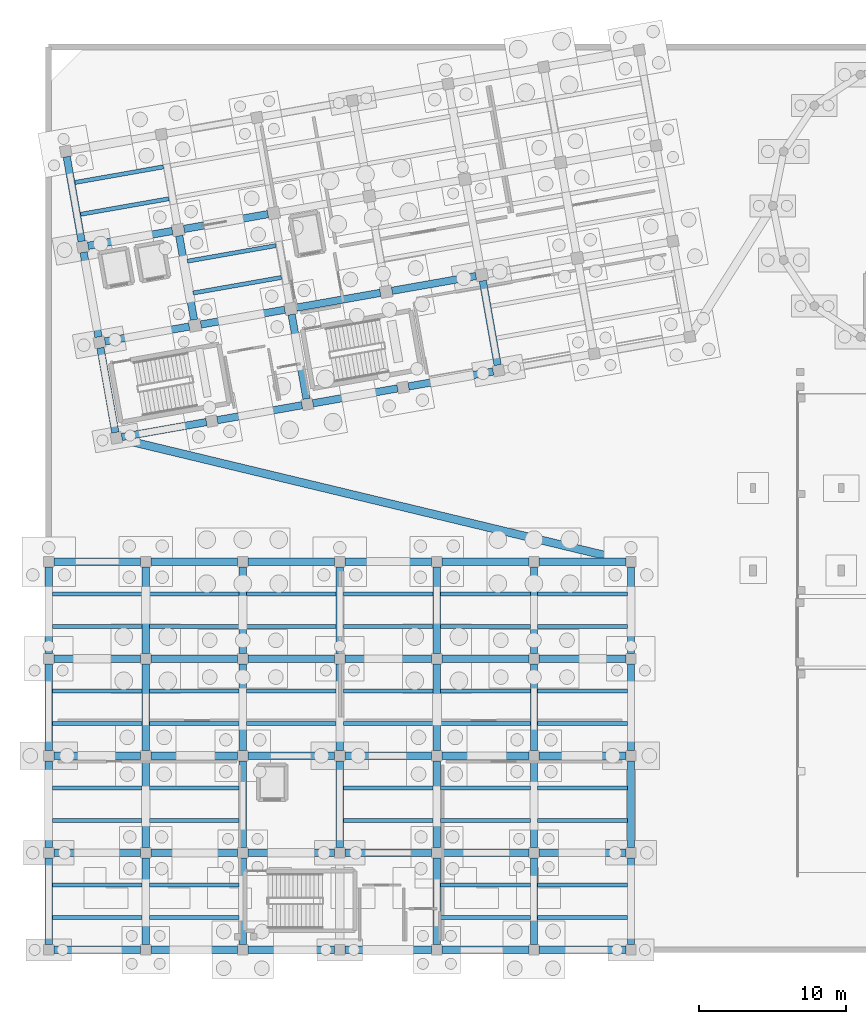
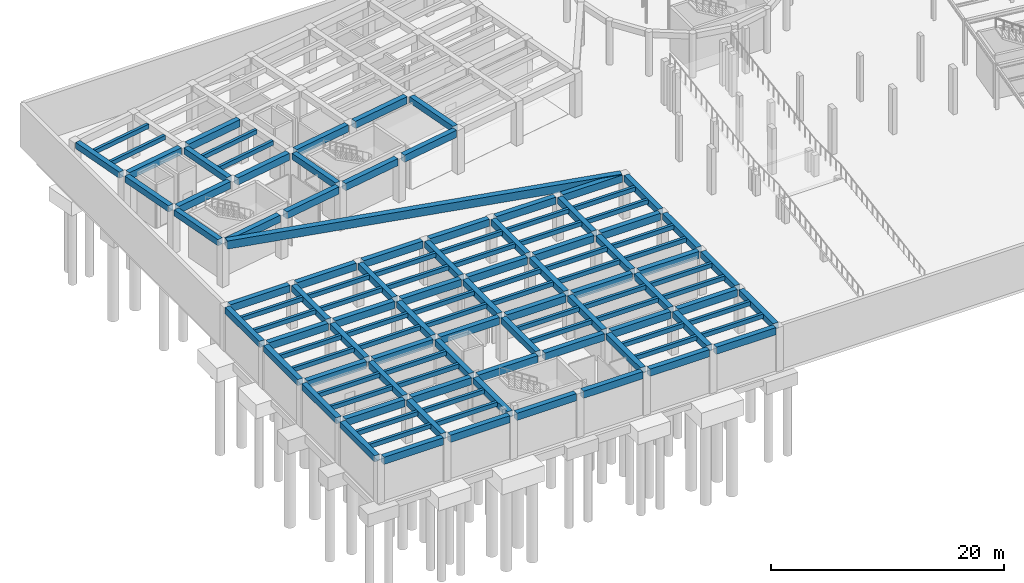
# One storey, part 17 of 34: 120 beams.
"""IFC4 building model written with IfcOpenShell, lengths in metres."""

from ifc_helpers import new_model, si_unit, direction, frame, origin, origin_2d, place, context, subcontext, project, spatial, rectangle, extrude, material, material_profile, profile_set, type_object, element, save


model = new_model("IFC4")

# Units and contexts
model_context = context("Model", 3, precision=1e-05, world=origin(), true_north=direction((0.0, 1.0)))
body_context = subcontext(model_context, "Body", "Model", "MODEL_VIEW")
ifc_project = project(units=[si_unit("LENGTHUNIT", "METRE"), si_unit("AREAUNIT", "SQUARE_METRE"), si_unit("VOLUMEUNIT", "CUBIC_METRE"), si_unit("PLANEANGLEUNIT", "RADIAN"), si_unit("MASSUNIT", "GRAM", prefix="KILO")], contexts=[model_context])

# Site, building, storey
site_placement = place(None, origin())
site = spatial("IfcSite", under=ifc_project, at=site_placement, CompositionType="ELEMENT")
building_placement = place(site_placement, origin())
building = spatial("IfcBuilding", under=site, at=building_placement, Name="Kharisveld Research Institute", CompositionType="ELEMENT")
storey_placement = place(building_placement, frame((0.0, 0.0, -4.800048828125)))
storey = spatial("IfcBuildingStorey", under=building, at=storey_placement, Name="B1", CompositionType="ELEMENT", Elevation=-4.800048828125)

# Beams
ifc_material_1 = material(Name="Concrete C40/50", Category="concrete")
ifc_material_profile_1 = material_profile(ifc_material_1, rectangle(XDim=0.5, YDim=0.64990234375, at=origin_2d()))
ifc_profile_set_1 = profile_set([ifc_material_profile_1], Name="Concrete C40/50")
beam_type_1 = type_object("IfcBeamType", Name="BM_RC_500x650", PredefinedType="BEAM", material=ifc_profile_set_1)
for number, where, z_axis, x_axis, name in (
    (1, (5.134765625, 35.37939453125, 4.28515625), (-0.173616291867, 0.984813374807, 0.0), (-0.984813374807, -0.173616291867, 0.0), "BM:V1:B1:V0_0"),
    (2, (3.98876953125, 41.879150390625, 4.28515625), (-0.17365676812, 0.984806238245, 0.0), (-0.984806238245, -0.17365676812, 0.0), "BM:V1:B1:V0_1"),
):
    element("IfcBeam", number, at=place(storey_placement, frame(where, z_axis=z_axis, x_axis=x_axis)), inside=storey, type_object=beam_type_1, Name=name, PredefinedType="BEAM", context=body_context, shape_type="SweptSolid", body=[
        extrude(rectangle(XDim=0.5, YDim=0.64990234375, at=origin_2d()), origin(), (0.0, 0.0, 1.0), 5.849853515625),
    ])
beam_1_placement = place(storey_placement, frame((2.8427734375, 48.378662109375, 4.28515625), z_axis=(-0.173649631067, 0.984807496737, 0.0), x_axis=(-0.984807496737, -0.173649631067, 0.0)))
element("IfcBeam", 3, at=beam_1_placement, inside=storey, type_object=beam_type_1, Name="BM:V1:B1:V0_2", PredefinedType="BEAM", context=body_context, shape_type="SweptSolid", body=[
    extrude(rectangle(XDim=0.5, YDim=0.64990234375, at=origin_2d()), origin(), (0.0, 0.0, 1.0), 5.85009765625),
])
beam_2_placement = place(storey_placement, frame((10.484130859375, 43.0498046875, 4.28515625), z_axis=(-0.17363405094, 0.984810243831, 0.0), x_axis=(-0.984810243831, -0.17363405094, 0.0)))
element("IfcBeam", 4, at=beam_2_placement, inside=storey, type_object=beam_type_1, Name="BM:V1:B1:V1_1", PredefinedType="BEAM", context=body_context, shape_type="SweptSolid", body=[
    extrude(rectangle(XDim=0.5, YDim=0.64990234375, at=origin_2d()), origin(), (0.0, 0.0, 1.0), 5.800048828125),
])
for number, where, z_axis, x_axis, name in (
    (5, (18.13427734375, 37.67138671875, 4.28515625), (-0.173641874505, 0.984808864409, 0.0), (-0.984808864409, -0.173641874505, 0.0), "BM:V1:B1:V2_0"),
    (6, (31.1337890625, 39.963623046875, 4.28515625), (-0.173641874505, 0.984808864409, 0.0), (-0.984808864409, -0.173641874505, 0.0), "BM:V1:B1:V4_0"),
):
    element("IfcBeam", number, at=place(storey_placement, frame(where, z_axis=z_axis, x_axis=x_axis)), inside=storey, type_object=beam_type_1, Name=name, PredefinedType="BEAM", context=body_context, shape_type="SweptSolid", body=[
        extrude(rectangle(XDim=0.5, YDim=0.64990234375, at=origin_2d()), origin(), (0.0, 0.0, 1.0), 5.824951171875),
    ])
beam_3_placement = place(storey_placement, frame((0.60009765625, 0.550048828125, 4.275146484375), z_axis=(0.0, 1.0, 0.0), x_axis=(-1.0, 0.0, 0.0)))
element("IfcBeam", 7, at=beam_3_placement, inside=storey, type_object=beam_type_1, Name="BM:V3:B1:V0_0", PredefinedType="BEAM", context=body_context, shape_type="SweptSolid", body=[
    extrude(rectangle(XDim=0.5, YDim=0.64990234375, at=origin_2d()), origin(), (0.0, 0.0, 1.0), 5.89990234375),
])
beam_4_placement = place(storey_placement, frame((0.60009765625, 7.14990234375, 4.275146484375), z_axis=(0.0, 1.0, 0.0), x_axis=(-1.0, 0.0, 0.0)))
element("IfcBeam", 8, at=beam_4_placement, inside=storey, type_object=beam_type_1, Name="BM:V3:B1:V0_1", PredefinedType="BEAM", context=body_context, shape_type="SweptSolid", body=[
    extrude(rectangle(XDim=0.5, YDim=0.64990234375, at=origin_2d()), origin(), (0.0, 0.0, 1.0), 5.900146484375),
])
for number, where, z_axis, x_axis, name in (
    (9, (0.60009765625, 13.75, 4.275146484375), (0.0, 1.0, 0.0), (-1.0, 0.0, 0.0), "BM:V3:B1:V0_2"),
    (10, (0.60009765625, 20.35009765625, 4.275146484375), (0.0, 1.0, 0.0), (-1.0, 0.0, 0.0), "BM:V3:B1:V0_3"),
    (11, (7.199951171875, 0.550048828125, 4.275146484375), (0.0, 1.0, 0.0), (-1.0, 0.0, 0.0), "BM:V3:B1:V1_0"),
):
    element("IfcBeam", number, at=place(storey_placement, frame(where, z_axis=z_axis, x_axis=x_axis)), inside=storey, type_object=beam_type_1, Name=name, PredefinedType="BEAM", context=body_context, shape_type="SweptSolid", body=[
        extrude(rectangle(XDim=0.5, YDim=0.64990234375, at=origin_2d()), origin(), (0.0, 0.0, 1.0), 5.89990234375),
    ])
beam_5_placement = place(storey_placement, frame((7.199951171875, 7.14990234375, 4.275146484375), z_axis=(0.0, 1.0, 0.0), x_axis=(-1.0, 0.0, 0.0)))
element("IfcBeam", 12, at=beam_5_placement, inside=storey, type_object=beam_type_1, Name="BM:V3:B1:V1_1", PredefinedType="BEAM", context=body_context, shape_type="SweptSolid", body=[
    extrude(rectangle(XDim=0.5, YDim=0.64990234375, at=origin_2d()), origin(), (0.0, 0.0, 1.0), 5.900146484375),
])
for number, where, z_axis, x_axis, name in (
    (13, (7.199951171875, 13.75, 4.275146484375), (0.0, 1.0, 0.0), (-1.0, 0.0, 0.0), "BM:V3:B1:V1_2"),
    (14, (7.199951171875, 20.35009765625, 4.275146484375), (0.0, 1.0, 0.0), (-1.0, 0.0, 0.0), "BM:V3:B1:V1_3"),
    (15, (13.800048828125, 0.550048828125, 4.275146484375), (0.0, 1.0, 0.0), (-1.0, 0.0, 0.0), "BM:V3:B1:V2_0"),
):
    element("IfcBeam", number, at=place(storey_placement, frame(where, z_axis=z_axis, x_axis=x_axis)), inside=storey, type_object=beam_type_1, Name=name, PredefinedType="BEAM", context=body_context, shape_type="SweptSolid", body=[
        extrude(rectangle(XDim=0.5, YDim=0.64990234375, at=origin_2d()), origin(), (0.0, 0.0, 1.0), 5.89990234375),
    ])
beam_6_placement = place(storey_placement, frame((13.800048828125, 7.14990234375, 4.275146484375), z_axis=(0.0, 1.0, 0.0), x_axis=(-1.0, 0.0, 0.0)))
element("IfcBeam", 16, at=beam_6_placement, inside=storey, type_object=beam_type_1, Name="BM:V3:B1:V2_1", PredefinedType="BEAM", context=body_context, shape_type="SweptSolid", body=[
    extrude(rectangle(XDim=0.5, YDim=0.64990234375, at=origin_2d()), origin(), (0.0, 0.0, 1.0), 5.900146484375),
])
for number, where, z_axis, x_axis, name in (
    (17, (13.800048828125, 13.75, 4.275146484375), (0.0, 1.0, 0.0), (-1.0, 0.0, 0.0), "BM:V3:B1:V2_2"),
    (18, (13.800048828125, 20.35009765625, 4.275146484375), (0.0, 1.0, 0.0), (-1.0, 0.0, 0.0), "BM:V3:B1:V2_3"),
):
    element("IfcBeam", number, at=place(storey_placement, frame(where, z_axis=z_axis, x_axis=x_axis)), inside=storey, type_object=beam_type_1, Name=name, PredefinedType="BEAM", context=body_context, shape_type="SweptSolid", body=[
        extrude(rectangle(XDim=0.5, YDim=0.64990234375, at=origin_2d()), origin(), (0.0, 0.0, 1.0), 5.89990234375),
    ])
beam_7_placement = place(storey_placement, frame((20.39990234375, 7.14990234375, 4.275146484375), z_axis=(0.0, 1.0, 0.0), x_axis=(-1.0, 0.0, 0.0)))
element("IfcBeam", 19, at=beam_7_placement, inside=storey, type_object=beam_type_1, Name="BM:V3:B1:V3_1", PredefinedType="BEAM", context=body_context, shape_type="SweptSolid", body=[
    extrude(rectangle(XDim=0.5, YDim=0.64990234375, at=origin_2d()), origin(), (0.0, 0.0, 1.0), 5.900146484375),
])
for number, where, z_axis, x_axis, name in (
    (20, (20.39990234375, 13.75, 4.275146484375), (0.0, 1.0, 0.0), (-1.0, 0.0, 0.0), "BM:V3:B1:V3_2"),
    (21, (20.39990234375, 20.35009765625, 4.275146484375), (0.0, 1.0, 0.0), (-1.0, 0.0, 0.0), "BM:V3:B1:V3_3"),
    (22, (27.0, 0.550048828125, 4.275146484375), (0.0, 1.0, 0.0), (-1.0, 0.0, 0.0), "BM:V3:B1:V4_0"),
):
    element("IfcBeam", number, at=place(storey_placement, frame(where, z_axis=z_axis, x_axis=x_axis)), inside=storey, type_object=beam_type_1, Name=name, PredefinedType="BEAM", context=body_context, shape_type="SweptSolid", body=[
        extrude(rectangle(XDim=0.5, YDim=0.64990234375, at=origin_2d()), origin(), (0.0, 0.0, 1.0), 5.89990234375),
    ])
beam_8_placement = place(storey_placement, frame((27.0, 7.14990234375, 4.275146484375), z_axis=(0.0, 1.0, 0.0), x_axis=(-1.0, 0.0, 0.0)))
element("IfcBeam", 23, at=beam_8_placement, inside=storey, type_object=beam_type_1, Name="BM:V3:B1:V4_1", PredefinedType="BEAM", context=body_context, shape_type="SweptSolid", body=[
    extrude(rectangle(XDim=0.5, YDim=0.64990234375, at=origin_2d()), origin(), (0.0, 0.0, 1.0), 5.900146484375),
])
for number, where, z_axis, x_axis, name in (
    (24, (27.0, 13.75, 4.275146484375), (0.0, 1.0, 0.0), (-1.0, 0.0, 0.0), "BM:V3:B1:V4_2"),
    (25, (27.0, 20.35009765625, 4.275146484375), (0.0, 1.0, 0.0), (-1.0, 0.0, 0.0), "BM:V3:B1:V4_3"),
    (26, (33.60009765625, 0.550048828125, 4.275146484375), (0.0, 1.0, 0.0), (-1.0, 0.0, 0.0), "BM:V3:B1:V5_0"),
):
    element("IfcBeam", number, at=place(storey_placement, frame(where, z_axis=z_axis, x_axis=x_axis)), inside=storey, type_object=beam_type_1, Name=name, PredefinedType="BEAM", context=body_context, shape_type="SweptSolid", body=[
        extrude(rectangle(XDim=0.5, YDim=0.64990234375, at=origin_2d()), origin(), (0.0, 0.0, 1.0), 5.89990234375),
    ])
beam_9_placement = place(storey_placement, frame((33.60009765625, 7.14990234375, 4.275146484375), z_axis=(0.0, 1.0, 0.0), x_axis=(-1.0, 0.0, 0.0)))
element("IfcBeam", 27, at=beam_9_placement, inside=storey, type_object=beam_type_1, Name="BM:V3:B1:V5_1", PredefinedType="BEAM", context=body_context, shape_type="SweptSolid", body=[
    extrude(rectangle(XDim=0.5, YDim=0.64990234375, at=origin_2d()), origin(), (0.0, 0.0, 1.0), 5.900146484375),
])
for number, where, z_axis, x_axis, name in (
    (28, (33.60009765625, 13.75, 4.275146484375), (0.0, 1.0, 0.0), (-1.0, 0.0, 0.0), "BM:V3:B1:V5_2"),
    (29, (33.60009765625, 20.35009765625, 4.275146484375), (0.0, 1.0, 0.0), (-1.0, 0.0, 0.0), "BM:V3:B1:V5_3"),
    (30, (40.199951171875, 0.550048828125, 4.275146484375), (0.0, 1.0, 0.0), (-1.0, 0.0, 0.0), "BM:V3:B1:V6_0"),
):
    element("IfcBeam", number, at=place(storey_placement, frame(where, z_axis=z_axis, x_axis=x_axis)), inside=storey, type_object=beam_type_1, Name=name, PredefinedType="BEAM", context=body_context, shape_type="SweptSolid", body=[
        extrude(rectangle(XDim=0.5, YDim=0.64990234375, at=origin_2d()), origin(), (0.0, 0.0, 1.0), 5.89990234375),
    ])
beam_10_placement = place(storey_placement, frame((40.199951171875, 7.14990234375, 4.275146484375), z_axis=(0.0, 1.0, 0.0), x_axis=(-1.0, 0.0, 0.0)))
element("IfcBeam", 31, at=beam_10_placement, inside=storey, type_object=beam_type_1, Name="BM:V3:B1:V6_1", PredefinedType="BEAM", context=body_context, shape_type="SweptSolid", body=[
    extrude(rectangle(XDim=0.5, YDim=0.64990234375, at=origin_2d()), origin(), (0.0, 0.0, 1.0), 5.900146484375),
])
for number, where, z_axis, x_axis, name in (
    (32, (40.199951171875, 13.75, 4.275146484375), (0.0, 1.0, 0.0), (-1.0, 0.0, 0.0), "BM:V3:B1:V6_2"),
    (33, (40.199951171875, 20.35009765625, 4.275146484375), (0.0, 1.0, 0.0), (-1.0, 0.0, 0.0), "BM:V3:B1:V6_3"),
):
    element("IfcBeam", number, at=place(storey_placement, frame(where, z_axis=z_axis, x_axis=x_axis)), inside=storey, type_object=beam_type_1, Name=name, PredefinedType="BEAM", context=body_context, shape_type="SweptSolid", body=[
        extrude(rectangle(XDim=0.5, YDim=0.64990234375, at=origin_2d()), origin(), (0.0, 0.0, 1.0), 5.89990234375),
    ])
ifc_material_2 = material(Name="Concrete C40/50", Category="concrete")
ifc_material_profile_2 = material_profile(ifc_material_2, rectangle(XDim=0.5, YDim=0.75, at=origin_2d()))
ifc_profile_set_2 = profile_set([ifc_material_profile_2], Name="Concrete C40/50")
beam_type_2 = type_object("IfcBeamType", Name="BM_RC_500x750", PredefinedType="BEAM", material=ifc_profile_set_2)
for number, where, z_axis, x_axis, name in (
    (34, (5.5693359375, 35.0751953125, 4.235107421875), (0.984806238245, 0.17365676812, 0.0), (-0.17365676812, 0.984806238245, 0.0), "BM:V1:B1:U0_0"),
    (35, (12.069091796875, 36.22119140625, 4.235107421875), (0.984806238245, 0.17365676812, 0.0), (-0.17365676812, 0.984806238245, 0.0), "BM:V1:B1:U1_0"),
    (36, (18.56884765625, 37.3671875, 4.235107421875), (0.984806238245, 0.17365676812, 0.0), (-0.17365676812, 0.984806238245, 0.0), "BM:V1:B1:U2_0"),
    (37, (25.068603515625, 38.513427734375, 4.235107421875), (0.984806238245, 0.17365676812, 0.0), (-0.17365676812, 0.984806238245, 0.0), "BM:V1:B1:U3_0"),
):
    element("IfcBeam", number, at=place(storey_placement, frame(where, z_axis=z_axis, x_axis=x_axis)), inside=storey, type_object=beam_type_2, Name=name, PredefinedType="BEAM", context=body_context, shape_type="SweptSolid", body=[
        extrude(rectangle(XDim=0.5, YDim=0.75, at=origin_2d()), origin(), (0.0, 0.0, 1.0), 5.849853515625),
    ])
beam_11_placement = place(storey_placement, frame((4.42333984375, 41.574951171875, 4.235107421875), z_axis=(0.984807600618, 0.173649041937, 0.0), x_axis=(-0.173649041937, 0.984807600618, 0.0)))
element("IfcBeam", 38, at=beam_11_placement, inside=storey, type_object=beam_type_2, Name="BM:V1:B1:U0_1", PredefinedType="BEAM", context=body_context, shape_type="SweptSolid", body=[
    extrude(rectangle(XDim=0.5, YDim=0.75, at=origin_2d()), origin(), (0.0, 0.0, 1.0), 5.82470703125),
])
for number, where, z_axis, x_axis, name in (
    (39, (10.947509765625, 42.725341796875, 4.235107421875), (0.984810243831, 0.17363405094, 0.0), (-0.17363405094, 0.984810243831, 0.0), "BM:V1:B1:U1_1"),
    (40, (17.447265625, 43.871337890625, 4.235107421875), (0.984810243831, 0.17363405094, 0.0), (-0.17363405094, 0.984810243831, 0.0), "BM:V1:B1:U2_1"),
    (41, (23.947021484375, 45.017333984375, 4.235107421875), (0.98480304526, 0.17367487454, 0.0), (-0.17367487454, 0.98480304526, 0.0), "BM:V1:B1:U3_1"),
):
    element("IfcBeam", number, at=place(storey_placement, frame(where, z_axis=z_axis, x_axis=x_axis)), inside=storey, type_object=beam_type_2, Name=name, PredefinedType="BEAM", context=body_context, shape_type="SweptSolid", body=[
        extrude(rectangle(XDim=0.5, YDim=0.75, at=origin_2d()), origin(), (0.0, 0.0, 1.0), 5.800048828125),
    ])
beam_12_placement = place(storey_placement, frame((3.277099609375, 48.074462890625, 4.235107421875), z_axis=(0.984801696481, 0.173682522459, 0.0), x_axis=(-0.173682522459, 0.984801696481, 0.0)))
element("IfcBeam", 42, at=beam_12_placement, inside=storey, type_object=beam_type_2, Name="BM:V1:B1:U0_2", PredefinedType="BEAM", context=body_context, shape_type="SweptSolid", body=[
    extrude(rectangle(XDim=0.5, YDim=0.75, at=origin_2d()), origin(), (0.0, 0.0, 1.0), 5.8251953125),
])
beam_13_placement = place(storey_placement, frame((9.801513671875, 49.22509765625, 4.235107421875), z_axis=(0.984810243831, 0.17363405094, 0.0), x_axis=(-0.17363405094, 0.984810243831, 0.0)))
element("IfcBeam", 43, at=beam_13_placement, inside=storey, type_object=beam_type_2, Name="BM:V1:B1:U1_2", PredefinedType="BEAM", context=body_context, shape_type="SweptSolid", body=[
    extrude(rectangle(XDim=0.5, YDim=0.75, at=origin_2d()), origin(), (0.0, 0.0, 1.0), 5.800048828125),
])
beam_14_placement = place(storey_placement, frame((0.949951171875, 0.199951171875, 4.22509765625), z_axis=(1.0, 0.0, 0.0), x_axis=(0.0, 1.0, 0.0)))
element("IfcBeam", 44, at=beam_14_placement, inside=storey, type_object=beam_type_2, Name="BM:V3:B1:U0_0", PredefinedType="BEAM", context=body_context, shape_type="SweptSolid", body=[
    extrude(rectangle(XDim=0.5, YDim=0.75, at=origin_2d()), origin(), (0.0, 0.0, 1.0), 5.900146484375),
])
beam_15_placement = place(storey_placement, frame((7.550048828125, 0.199951171875, 4.22509765625), z_axis=(1.0, 0.0, 0.0), x_axis=(0.0, 1.0, 0.0)))
element("IfcBeam", 45, at=beam_15_placement, inside=storey, type_object=beam_type_2, Name="BM:V3:B1:U1_0", PredefinedType="BEAM", context=body_context, shape_type="SweptSolid", body=[
    extrude(rectangle(XDim=0.5, YDim=0.75, at=origin_2d()), origin(), (0.0, 0.0, 1.0), 5.89990234375),
])
beam_16_placement = place(storey_placement, frame((14.14990234375, 0.199951171875, 4.22509765625), z_axis=(1.0, 0.0, 0.0), x_axis=(0.0, 1.0, 0.0)))
element("IfcBeam", 46, at=beam_16_placement, inside=storey, type_object=beam_type_2, Name="BM:V3:B1:U2_0", PredefinedType="BEAM", context=body_context, shape_type="SweptSolid", body=[
    extrude(rectangle(XDim=0.5, YDim=0.75, at=origin_2d()), origin(), (0.0, 0.0, 1.0), 5.900146484375),
])
for number, where, z_axis, x_axis, name in (
    (47, (20.75, 0.199951171875, 4.22509765625), (1.0, 0.0, 0.0), (0.0, 1.0, 0.0), "BM:V3:B1:U3_0"),
    (48, (27.35009765625, 0.199951171875, 4.22509765625), (1.0, 0.0, 0.0), (0.0, 1.0, 0.0), "BM:V3:B1:U4_0"),
):
    element("IfcBeam", number, at=place(storey_placement, frame(where, z_axis=z_axis, x_axis=x_axis)), inside=storey, type_object=beam_type_2, Name=name, PredefinedType="BEAM", context=body_context, shape_type="SweptSolid", body=[
        extrude(rectangle(XDim=0.5, YDim=0.75, at=origin_2d()), origin(), (0.0, 0.0, 1.0), 5.89990234375),
    ])
for number, where, z_axis, x_axis, name in (
    (49, (33.949951171875, 0.199951171875, 4.22509765625), (1.0, 0.0, 0.0), (0.0, 1.0, 0.0), "BM:V3:B1:U5_0"),
    (50, (0.949951171875, 6.800048828125, 4.22509765625), (1.0, 0.0, 0.0), (0.0, 1.0, 0.0), "BM:V3:B1:U0_1"),
):
    element("IfcBeam", number, at=place(storey_placement, frame(where, z_axis=z_axis, x_axis=x_axis)), inside=storey, type_object=beam_type_2, Name=name, PredefinedType="BEAM", context=body_context, shape_type="SweptSolid", body=[
        extrude(rectangle(XDim=0.5, YDim=0.75, at=origin_2d()), origin(), (0.0, 0.0, 1.0), 5.900146484375),
    ])
beam_17_placement = place(storey_placement, frame((7.550048828125, 6.800048828125, 4.22509765625), z_axis=(1.0, 0.0, 0.0), x_axis=(0.0, 1.0, 0.0)))
element("IfcBeam", 51, at=beam_17_placement, inside=storey, type_object=beam_type_2, Name="BM:V3:B1:U1_1", PredefinedType="BEAM", context=body_context, shape_type="SweptSolid", body=[
    extrude(rectangle(XDim=0.5, YDim=0.75, at=origin_2d()), origin(), (0.0, 0.0, 1.0), 5.89990234375),
])
beam_18_placement = place(storey_placement, frame((14.14990234375, 6.800048828125, 4.22509765625), z_axis=(1.0, 0.0, 0.0), x_axis=(0.0, 1.0, 0.0)))
element("IfcBeam", 52, at=beam_18_placement, inside=storey, type_object=beam_type_2, Name="BM:V3:B1:U2_1", PredefinedType="BEAM", context=body_context, shape_type="SweptSolid", body=[
    extrude(rectangle(XDim=0.5, YDim=0.75, at=origin_2d()), origin(), (0.0, 0.0, 1.0), 5.900146484375),
])
for number, where, z_axis, x_axis, name in (
    (53, (20.75, 6.800048828125, 4.22509765625), (1.0, 0.0, 0.0), (0.0, 1.0, 0.0), "BM:V3:B1:U3_1"),
    (54, (27.35009765625, 6.800048828125, 4.22509765625), (1.0, 0.0, 0.0), (0.0, 1.0, 0.0), "BM:V3:B1:U4_1"),
):
    element("IfcBeam", number, at=place(storey_placement, frame(where, z_axis=z_axis, x_axis=x_axis)), inside=storey, type_object=beam_type_2, Name=name, PredefinedType="BEAM", context=body_context, shape_type="SweptSolid", body=[
        extrude(rectangle(XDim=0.5, YDim=0.75, at=origin_2d()), origin(), (0.0, 0.0, 1.0), 5.89990234375),
    ])
for number, where, z_axis, x_axis, name in (
    (55, (33.949951171875, 6.800048828125, 4.22509765625), (1.0, 0.0, 0.0), (0.0, 1.0, 0.0), "BM:V3:B1:U5_1"),
    (56, (0.949951171875, 13.39990234375, 4.22509765625), (1.0, 0.0, 0.0), (0.0, 1.0, 0.0), "BM:V3:B1:U0_2"),
):
    element("IfcBeam", number, at=place(storey_placement, frame(where, z_axis=z_axis, x_axis=x_axis)), inside=storey, type_object=beam_type_2, Name=name, PredefinedType="BEAM", context=body_context, shape_type="SweptSolid", body=[
        extrude(rectangle(XDim=0.5, YDim=0.75, at=origin_2d()), origin(), (0.0, 0.0, 1.0), 5.900146484375),
    ])
beam_19_placement = place(storey_placement, frame((7.550048828125, 13.39990234375, 4.22509765625), z_axis=(1.0, 0.0, 0.0), x_axis=(0.0, 1.0, 0.0)))
element("IfcBeam", 57, at=beam_19_placement, inside=storey, type_object=beam_type_2, Name="BM:V3:B1:U1_2", PredefinedType="BEAM", context=body_context, shape_type="SweptSolid", body=[
    extrude(rectangle(XDim=0.5, YDim=0.75, at=origin_2d()), origin(), (0.0, 0.0, 1.0), 5.89990234375),
])
beam_20_placement = place(storey_placement, frame((14.14990234375, 13.39990234375, 4.22509765625), z_axis=(1.0, 0.0, 0.0), x_axis=(0.0, 1.0, 0.0)))
element("IfcBeam", 58, at=beam_20_placement, inside=storey, type_object=beam_type_2, Name="BM:V3:B1:U2_2", PredefinedType="BEAM", context=body_context, shape_type="SweptSolid", body=[
    extrude(rectangle(XDim=0.5, YDim=0.75, at=origin_2d()), origin(), (0.0, 0.0, 1.0), 5.900146484375),
])
for number, where, z_axis, x_axis, name in (
    (59, (20.75, 13.39990234375, 4.22509765625), (1.0, 0.0, 0.0), (0.0, 1.0, 0.0), "BM:V3:B1:U3_2"),
    (60, (27.35009765625, 13.39990234375, 4.22509765625), (1.0, 0.0, 0.0), (0.0, 1.0, 0.0), "BM:V3:B1:U4_2"),
):
    element("IfcBeam", number, at=place(storey_placement, frame(where, z_axis=z_axis, x_axis=x_axis)), inside=storey, type_object=beam_type_2, Name=name, PredefinedType="BEAM", context=body_context, shape_type="SweptSolid", body=[
        extrude(rectangle(XDim=0.5, YDim=0.75, at=origin_2d()), origin(), (0.0, 0.0, 1.0), 5.89990234375),
    ])
for number, where, z_axis, x_axis, name in (
    (61, (33.949951171875, 13.39990234375, 4.22509765625), (1.0, 0.0, 0.0), (0.0, 1.0, 0.0), "BM:V3:B1:U5_2"),
    (62, (0.949951171875, 20.0, 4.22509765625), (1.0, 0.0, 0.0), (0.0, 1.0, 0.0), "BM:V3:B1:U0_3"),
):
    element("IfcBeam", number, at=place(storey_placement, frame(where, z_axis=z_axis, x_axis=x_axis)), inside=storey, type_object=beam_type_2, Name=name, PredefinedType="BEAM", context=body_context, shape_type="SweptSolid", body=[
        extrude(rectangle(XDim=0.5, YDim=0.75, at=origin_2d()), origin(), (0.0, 0.0, 1.0), 5.900146484375),
    ])
beam_21_placement = place(storey_placement, frame((7.550048828125, 20.0, 4.22509765625), z_axis=(1.0, 0.0, 0.0), x_axis=(0.0, 1.0, 0.0)))
element("IfcBeam", 63, at=beam_21_placement, inside=storey, type_object=beam_type_2, Name="BM:V3:B1:U1_3", PredefinedType="BEAM", context=body_context, shape_type="SweptSolid", body=[
    extrude(rectangle(XDim=0.5, YDim=0.75, at=origin_2d()), origin(), (0.0, 0.0, 1.0), 5.89990234375),
])
beam_22_placement = place(storey_placement, frame((14.14990234375, 20.0, 4.22509765625), z_axis=(1.0, 0.0, 0.0), x_axis=(0.0, 1.0, 0.0)))
element("IfcBeam", 64, at=beam_22_placement, inside=storey, type_object=beam_type_2, Name="BM:V3:B1:U2_3", PredefinedType="BEAM", context=body_context, shape_type="SweptSolid", body=[
    extrude(rectangle(XDim=0.5, YDim=0.75, at=origin_2d()), origin(), (0.0, 0.0, 1.0), 5.900146484375),
])
for number, where, z_axis, x_axis, name in (
    (65, (20.75, 20.0, 4.22509765625), (1.0, 0.0, 0.0), (0.0, 1.0, 0.0), "BM:V3:B1:U3_3"),
    (66, (27.35009765625, 20.0, 4.22509765625), (1.0, 0.0, 0.0), (0.0, 1.0, 0.0), "BM:V3:B1:U4_3"),
):
    element("IfcBeam", number, at=place(storey_placement, frame(where, z_axis=z_axis, x_axis=x_axis)), inside=storey, type_object=beam_type_2, Name=name, PredefinedType="BEAM", context=body_context, shape_type="SweptSolid", body=[
        extrude(rectangle(XDim=0.5, YDim=0.75, at=origin_2d()), origin(), (0.0, 0.0, 1.0), 5.89990234375),
    ])
for number, where, z_axis, x_axis, name in (
    (67, (33.949951171875, 20.0, 4.22509765625), (1.0, 0.0, 0.0), (0.0, 1.0, 0.0), "BM:V3:B1:U5_3"),
    (68, (0.949951171875, 26.60009765625, 4.22509765625), (1.0, 0.0, 0.0), (0.0, 1.0, 0.0), "BM:V3:B1:U0_4"),
):
    element("IfcBeam", number, at=place(storey_placement, frame(where, z_axis=z_axis, x_axis=x_axis)), inside=storey, type_object=beam_type_2, Name=name, PredefinedType="BEAM", context=body_context, shape_type="SweptSolid", body=[
        extrude(rectangle(XDim=0.5, YDim=0.75, at=origin_2d()), origin(), (0.0, 0.0, 1.0), 5.900146484375),
    ])
beam_23_placement = place(storey_placement, frame((7.550048828125, 26.60009765625, 4.22509765625), z_axis=(1.0, 0.0, 0.0), x_axis=(0.0, 1.0, 0.0)))
element("IfcBeam", 69, at=beam_23_placement, inside=storey, type_object=beam_type_2, Name="BM:V3:B1:U1_4", PredefinedType="BEAM", context=body_context, shape_type="SweptSolid", body=[
    extrude(rectangle(XDim=0.5, YDim=0.75, at=origin_2d()), origin(), (0.0, 0.0, 1.0), 5.89990234375),
])
beam_24_placement = place(storey_placement, frame((14.14990234375, 26.60009765625, 4.22509765625), z_axis=(1.0, 0.0, 0.0), x_axis=(0.0, 1.0, 0.0)))
element("IfcBeam", 70, at=beam_24_placement, inside=storey, type_object=beam_type_2, Name="BM:V3:B1:U2_4", PredefinedType="BEAM", context=body_context, shape_type="SweptSolid", body=[
    extrude(rectangle(XDim=0.5, YDim=0.75, at=origin_2d()), origin(), (0.0, 0.0, 1.0), 5.900146484375),
])
for number, where, z_axis, x_axis, name in (
    (71, (20.75, 26.60009765625, 4.22509765625), (1.0, 0.0, 0.0), (0.0, 1.0, 0.0), "BM:V3:B1:U3_4"),
    (72, (27.35009765625, 26.60009765625, 4.22509765625), (1.0, 0.0, 0.0), (0.0, 1.0, 0.0), "BM:V3:B1:U4_4"),
):
    element("IfcBeam", number, at=place(storey_placement, frame(where, z_axis=z_axis, x_axis=x_axis)), inside=storey, type_object=beam_type_2, Name=name, PredefinedType="BEAM", context=body_context, shape_type="SweptSolid", body=[
        extrude(rectangle(XDim=0.5, YDim=0.75, at=origin_2d()), origin(), (0.0, 0.0, 1.0), 5.89990234375),
    ])
beam_25_placement = place(storey_placement, frame((33.949951171875, 26.60009765625, 4.22509765625), z_axis=(1.0, 0.0, 0.0), x_axis=(0.0, 1.0, 0.0)))
element("IfcBeam", 73, at=beam_25_placement, inside=storey, type_object=beam_type_2, Name="BM:V3:B1:U5_4", PredefinedType="BEAM", context=body_context, shape_type="SweptSolid", body=[
    extrude(rectangle(XDim=0.5, YDim=0.75, at=origin_2d()), origin(), (0.0, 0.0, 1.0), 5.900146484375),
])
ifc_material_3 = material(Name="Concrete C40/50", Category="concrete")
ifc_material_profile_3 = material_profile(ifc_material_3, rectangle(XDim=0.550048828125, YDim=0.85009765625, at=origin_2d()))
ifc_profile_set_3 = profile_set([ifc_material_profile_3], Name="Concrete C40/50")
beam_type_3 = type_object("IfcBeamType", Name="BM_RC_550x850", PredefinedType="BEAM", material=ifc_profile_set_3)
beam_26_placement = place(storey_placement, frame((39.908203125, 26.670166015625, 4.25), z_axis=(-0.972324344957, 0.233635117661, 0.0), x_axis=(-0.233635117661, -0.972324344957, 0.0)))
element("IfcBeam", 74, at=beam_26_placement, inside=storey, type_object=beam_type_3, Name="BM:B1:TIE_V3_V1", PredefinedType="BEAM", context=body_context, shape_type="SweptSolid", body=[
    extrude(rectangle(XDim=0.550048828125, YDim=0.85009765625, at=origin_2d()), origin(), (0.0, 0.0, 1.0), 35.39599609375),
])
ifc_material_4 = material(Name="Concrete C40/50", Category="concrete")
ifc_material_profile_4 = material_profile(ifc_material_4, rectangle(XDim=0.280029296875, YDim=0.449951171875, at=origin_2d()))
ifc_profile_set_4 = profile_set([ifc_material_profile_4], Name="Concrete C40/50")
beam_type_4 = type_object("IfcBeamType", Name="WB_RC_280x450", PredefinedType="JOIST", material=ifc_profile_set_4)
for number, where, z_axis, x_axis, name in (
    (75, (2.77197265625, 50.219482421875, 4.385009765625), (0.984805711192, 0.173659757005, 0.0), (-0.173659757005, 0.984805711192, 0.0), "BM:V1:B1:J_0_2_R1"),
    (76, (2.389892578125, 52.385986328125, 4.385009765625), (0.984805711192, 0.173659757005, 0.0), (-0.173659757005, 0.984805711192, 0.0), "BM:V1:B1:J_0_2_R2"),
    (77, (10.417724609375, 44.86572265625, 4.385009765625), (0.984805711192, 0.173659757005, 0.0), (-0.173659757005, 0.984805711192, 0.0), "BM:V1:B1:J_1_1_R1"),
):
    element("IfcBeam", number, at=place(storey_placement, frame(where, z_axis=z_axis, x_axis=x_axis)), inside=storey, type_object=beam_type_4, Name=name, PredefinedType="JOIST", context=body_context, shape_type="SweptSolid", body=[
        extrude(rectangle(XDim=0.280029296875, YDim=0.449951171875, at=origin_2d()), origin(), (0.0, 0.0, 1.0), 6.10009765625),
    ])
for number, where, z_axis, x_axis, name in (
    (78, (10.035888671875, 47.032470703125, 4.385009765625), (0.984812555252, 0.173620940611, 0.0), (-0.173620940611, 0.984812555252, 0.0), "BM:V1:B1:J_1_1_R2"),
    (79, (0.85009765625, 2.39990234375, 4.375), (1.0, 0.0, 0.0), (0.0, 1.0, 0.0), "BM:V3:B1:J_0_0_R1"),
    (80, (0.85009765625, 4.60009765625, 4.375), (1.0, 0.0, 0.0), (0.0, 1.0, 0.0), "BM:V3:B1:J_0_0_R2"),
    (81, (0.85009765625, 9.0, 4.375), (1.0, 0.0, 0.0), (0.0, 1.0, 0.0), "BM:V3:B1:J_0_1_R1"),
    (82, (0.85009765625, 11.199951171875, 4.375), (1.0, 0.0, 0.0), (0.0, 1.0, 0.0), "BM:V3:B1:J_0_1_R2"),
    (83, (0.85009765625, 15.60009765625, 4.375), (1.0, 0.0, 0.0), (0.0, 1.0, 0.0), "BM:V3:B1:J_0_2_R1"),
    (84, (0.85009765625, 17.800048828125, 4.375), (1.0, 0.0, 0.0), (0.0, 1.0, 0.0), "BM:V3:B1:J_0_2_R2"),
    (85, (0.85009765625, 22.199951171875, 4.375), (1.0, 0.0, 0.0), (0.0, 1.0, 0.0), "BM:V3:B1:J_0_3_R1"),
    (86, (0.85009765625, 24.39990234375, 4.375), (1.0, 0.0, 0.0), (0.0, 1.0, 0.0), "BM:V3:B1:J_0_3_R2"),
):
    element("IfcBeam", number, at=place(storey_placement, frame(where, z_axis=z_axis, x_axis=x_axis)), inside=storey, type_object=beam_type_4, Name=name, PredefinedType="JOIST", context=body_context, shape_type="SweptSolid", body=[
        extrude(rectangle(XDim=0.280029296875, YDim=0.449951171875, at=origin_2d()), origin(), (0.0, 0.0, 1.0), 6.099853515625),
    ])
for number, where, z_axis, x_axis, name in (
    (87, (7.449951171875, 2.39990234375, 4.375), (1.0, 0.0, 0.0), (0.0, 1.0, 0.0), "BM:V3:B1:J_1_0_R1"),
    (88, (7.449951171875, 4.60009765625, 4.375), (1.0, 0.0, 0.0), (0.0, 1.0, 0.0), "BM:V3:B1:J_1_0_R2"),
    (89, (7.449951171875, 9.0, 4.375), (1.0, 0.0, 0.0), (0.0, 1.0, 0.0), "BM:V3:B1:J_1_1_R1"),
    (90, (7.449951171875, 11.199951171875, 4.375), (1.0, 0.0, 0.0), (0.0, 1.0, 0.0), "BM:V3:B1:J_1_1_R2"),
    (91, (7.449951171875, 15.60009765625, 4.375), (1.0, 0.0, 0.0), (0.0, 1.0, 0.0), "BM:V3:B1:J_1_2_R1"),
    (92, (7.449951171875, 17.800048828125, 4.375), (1.0, 0.0, 0.0), (0.0, 1.0, 0.0), "BM:V3:B1:J_1_2_R2"),
    (93, (7.449951171875, 22.199951171875, 4.375), (1.0, 0.0, 0.0), (0.0, 1.0, 0.0), "BM:V3:B1:J_1_3_R1"),
    (94, (7.449951171875, 24.39990234375, 4.375), (1.0, 0.0, 0.0), (0.0, 1.0, 0.0), "BM:V3:B1:J_1_3_R2"),
):
    element("IfcBeam", number, at=place(storey_placement, frame(where, z_axis=z_axis, x_axis=x_axis)), inside=storey, type_object=beam_type_4, Name=name, PredefinedType="JOIST", context=body_context, shape_type="SweptSolid", body=[
        extrude(rectangle(XDim=0.280029296875, YDim=0.449951171875, at=origin_2d()), origin(), (0.0, 0.0, 1.0), 6.10009765625),
    ])
for number, where, z_axis, x_axis, name in (
    (95, (14.050048828125, 15.60009765625, 4.375), (1.0, 0.0, 0.0), (0.0, 1.0, 0.0), "BM:V3:B1:J_2_2_R1"),
    (96, (14.050048828125, 17.800048828125, 4.375), (1.0, 0.0, 0.0), (0.0, 1.0, 0.0), "BM:V3:B1:J_2_2_R2"),
    (97, (14.050048828125, 22.199951171875, 4.375), (1.0, 0.0, 0.0), (0.0, 1.0, 0.0), "BM:V3:B1:J_2_3_R1"),
    (98, (14.050048828125, 24.39990234375, 4.375), (1.0, 0.0, 0.0), (0.0, 1.0, 0.0), "BM:V3:B1:J_2_3_R2"),
):
    element("IfcBeam", number, at=place(storey_placement, frame(where, z_axis=z_axis, x_axis=x_axis)), inside=storey, type_object=beam_type_4, Name=name, PredefinedType="JOIST", context=body_context, shape_type="SweptSolid", body=[
        extrude(rectangle(XDim=0.280029296875, YDim=0.449951171875, at=origin_2d()), origin(), (0.0, 0.0, 1.0), 6.099853515625),
    ])
for number, where, z_axis, x_axis, name in (
    (99, (20.64990234375, 9.0, 4.375), (1.0, 0.0, 0.0), (0.0, 1.0, 0.0), "BM:V3:B1:J_3_1_R1"),
    (100, (20.64990234375, 11.199951171875, 4.375), (1.0, 0.0, 0.0), (0.0, 1.0, 0.0), "BM:V3:B1:J_3_1_R2"),
    (101, (20.64990234375, 15.60009765625, 4.375), (1.0, 0.0, 0.0), (0.0, 1.0, 0.0), "BM:V3:B1:J_3_2_R1"),
    (102, (20.64990234375, 17.800048828125, 4.375), (1.0, 0.0, 0.0), (0.0, 1.0, 0.0), "BM:V3:B1:J_3_2_R2"),
    (103, (20.64990234375, 22.199951171875, 4.375), (1.0, 0.0, 0.0), (0.0, 1.0, 0.0), "BM:V3:B1:J_3_3_R1"),
    (104, (20.64990234375, 24.39990234375, 4.375), (1.0, 0.0, 0.0), (0.0, 1.0, 0.0), "BM:V3:B1:J_3_3_R2"),
    (105, (27.25, 2.39990234375, 4.375), (1.0, 0.0, 0.0), (0.0, 1.0, 0.0), "BM:V3:B1:J_4_0_R1"),
    (106, (27.25, 4.60009765625, 4.375), (1.0, 0.0, 0.0), (0.0, 1.0, 0.0), "BM:V3:B1:J_4_0_R2"),
    (107, (27.25, 9.0, 4.375), (1.0, 0.0, 0.0), (0.0, 1.0, 0.0), "BM:V3:B1:J_4_1_R1"),
    (108, (27.25, 11.199951171875, 4.375), (1.0, 0.0, 0.0), (0.0, 1.0, 0.0), "BM:V3:B1:J_4_1_R2"),
    (109, (27.25, 15.60009765625, 4.375), (1.0, 0.0, 0.0), (0.0, 1.0, 0.0), "BM:V3:B1:J_4_2_R1"),
    (110, (27.25, 17.800048828125, 4.375), (1.0, 0.0, 0.0), (0.0, 1.0, 0.0), "BM:V3:B1:J_4_2_R2"),
    (111, (27.25, 22.199951171875, 4.375), (1.0, 0.0, 0.0), (0.0, 1.0, 0.0), "BM:V3:B1:J_4_3_R1"),
    (112, (27.25, 24.39990234375, 4.375), (1.0, 0.0, 0.0), (0.0, 1.0, 0.0), "BM:V3:B1:J_4_3_R2"),
):
    element("IfcBeam", number, at=place(storey_placement, frame(where, z_axis=z_axis, x_axis=x_axis)), inside=storey, type_object=beam_type_4, Name=name, PredefinedType="JOIST", context=body_context, shape_type="SweptSolid", body=[
        extrude(rectangle(XDim=0.280029296875, YDim=0.449951171875, at=origin_2d()), origin(), (0.0, 0.0, 1.0), 6.10009765625),
    ])
for number, where, z_axis, x_axis, name in (
    (113, (33.85009765625, 2.39990234375, 4.375), (1.0, 0.0, 0.0), (0.0, 1.0, 0.0), "BM:V3:B1:J_5_0_R1"),
    (114, (33.85009765625, 4.60009765625, 4.375), (1.0, 0.0, 0.0), (0.0, 1.0, 0.0), "BM:V3:B1:J_5_0_R2"),
    (115, (33.85009765625, 9.0, 4.375), (1.0, 0.0, 0.0), (0.0, 1.0, 0.0), "BM:V3:B1:J_5_1_R1"),
    (116, (33.85009765625, 11.199951171875, 4.375), (1.0, 0.0, 0.0), (0.0, 1.0, 0.0), "BM:V3:B1:J_5_1_R2"),
    (117, (33.85009765625, 15.60009765625, 4.375), (1.0, 0.0, 0.0), (0.0, 1.0, 0.0), "BM:V3:B1:J_5_2_R1"),
    (118, (33.85009765625, 17.800048828125, 4.375), (1.0, 0.0, 0.0), (0.0, 1.0, 0.0), "BM:V3:B1:J_5_2_R2"),
    (119, (33.85009765625, 22.199951171875, 4.375), (1.0, 0.0, 0.0), (0.0, 1.0, 0.0), "BM:V3:B1:J_5_3_R1"),
    (120, (33.85009765625, 24.39990234375, 4.375), (1.0, 0.0, 0.0), (0.0, 1.0, 0.0), "BM:V3:B1:J_5_3_R2"),
):
    element("IfcBeam", number, at=place(storey_placement, frame(where, z_axis=z_axis, x_axis=x_axis)), inside=storey, type_object=beam_type_4, Name=name, PredefinedType="JOIST", context=body_context, shape_type="SweptSolid", body=[
        extrude(rectangle(XDim=0.280029296875, YDim=0.449951171875, at=origin_2d()), origin(), (0.0, 0.0, 1.0), 6.099853515625),
    ])

save(model, "model.ifc")
